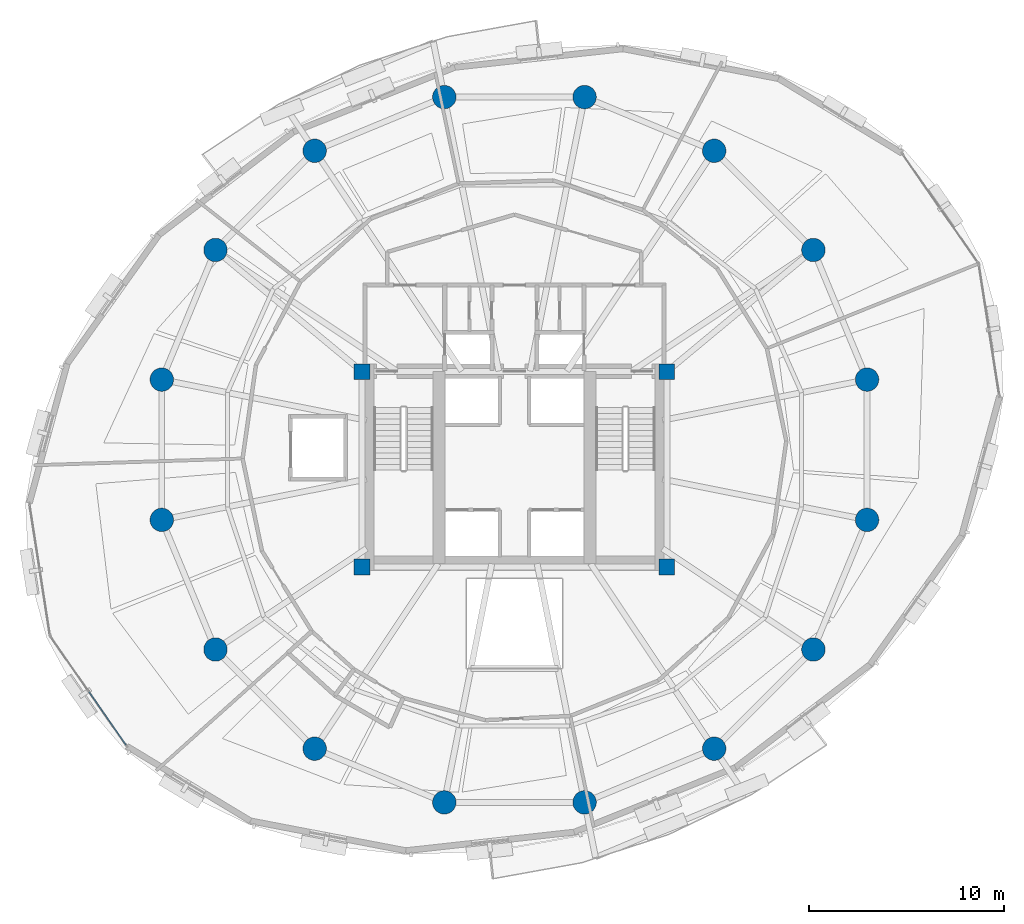
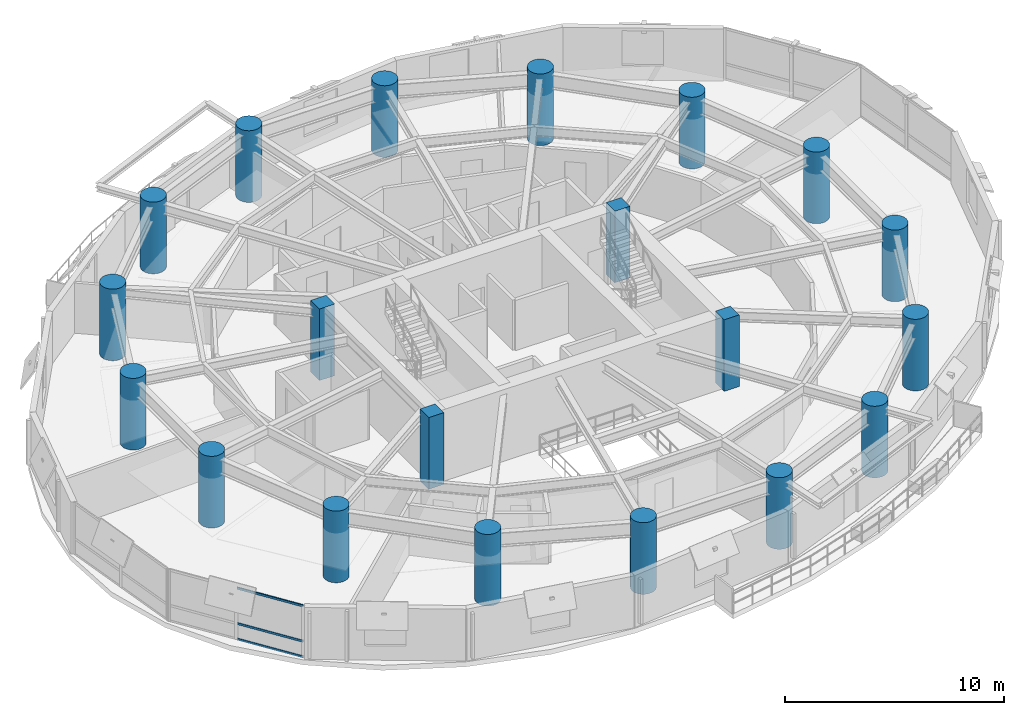
# One storey, part 1 of 14: 20 columns, 3 members, 1 element without a shape of its own.
"""IFC4 building model written with IfcOpenShell, lengths in metres."""

from ifc_helpers import new_model, si_unit, direction, frame, origin, origin_2d, place, context, subcontext, project, spatial, rectangle, hollow_rectangle, circle, extrude, material, layer, layer_set, material_profile, profile_set, type_object, element, aggregate, save


model = new_model("IFC4")

# Units and contexts
model_context = context("Model", 3, precision=1e-05, world=origin(), true_north=direction((0.0, 1.0)))
body_context = subcontext(model_context, "Body", "Model", "MODEL_VIEW")
ifc_project = project(units=[si_unit("LENGTHUNIT", "METRE"), si_unit("AREAUNIT", "SQUARE_METRE"), si_unit("VOLUMEUNIT", "CUBIC_METRE"), si_unit("PLANEANGLEUNIT", "RADIAN"), si_unit("MASSUNIT", "GRAM", prefix="KILO"), si_unit("THERMODYNAMICTEMPERATUREUNIT", "KELVIN"), si_unit("POWERUNIT", "WATT")], contexts=[model_context])

# Site, building, storey
site_placement = place(None, origin())
site = spatial("IfcSite", under=ifc_project, at=site_placement, CompositionType="ELEMENT")
building_placement = place(site_placement, origin())
building = spatial("IfcBuilding", under=site, at=building_placement, Name="Ocrelia Relay Tower", CompositionType="ELEMENT")
storey_placement = place(building_placement, frame((0.0, 0.0, 125.800048828125)))
storey = spatial("IfcBuildingStorey", under=building, at=storey_placement, Name="L29", CompositionType="ELEMENT", Elevation=125.800048828125)

# Columns
ifc_material_1 = material(Name="Concrete C60/75", Category="concrete")
ifc_material_profile_1 = material_profile(ifc_material_1, circle(Radius=0.60009765625, at=origin_2d()), Name="RC-CIR-1200")
ifc_profile_set_1 = profile_set([ifc_material_profile_1], Name="Concrete C60/75")
column_type_1 = type_object("IfcColumnType", Name="COL-CT-1200", PredefinedType="COLUMN", material=ifc_profile_set_1)
for number, where, z_axis, x_axis, name in (
    (1, (52.04638671875, 29.589599609375, 0.0), (0.0, 0.0, 1.0), (1.0, 0.0, 0.0), "L29 Perimeter Ring Column C01"),
    (2, (49.299072265625, 36.222412109375, 0.0), (0.0, 0.0, 1.0), (1.0, 0.0, 0.0), "L29 Perimeter Ring Column C02"),
    (3, (44.222412109375, 41.299072265625, 0.0), (0.0, 0.0, 1.0), (1.0, 0.0, 0.0), "L29 Perimeter Ring Column C03"),
    (4, (37.589599609375, 44.04638671875, 0.0), (0.0, 0.0, 1.0), (1.0, 0.0, 0.0), "L29 Perimeter Ring Column C04"),
    (5, (30.410400390625, 44.04638671875, 0.0), (0.0, 0.0, 1.0), (1.0, 0.0, 0.0), "L29 Perimeter Ring Column C05"),
    (6, (23.777587890625, 41.299072265625, 0.0), (0.0, 0.0, 1.0), (1.0, 0.0, 0.0), "L29 Perimeter Ring Column C06"),
    (7, (18.700927734375, 36.222412109375, 0.0), (0.0, 0.0, 1.0), (1.0, 0.0, 0.0), "L29 Perimeter Ring Column C07"),
    (8, (15.95361328125, 29.589599609375, 0.0), (0.0, 0.0, 1.0), (1.0, 0.0, 0.0), "L29 Perimeter Ring Column C08"),
    (9, (15.95361328125, 22.410400390625, 0.0), (0.0, 0.0, 1.0), (1.0, 0.0, 0.0), "L29 Perimeter Ring Column C09"),
    (10, (18.700927734375, 15.777587890625, 0.0), (0.0, 0.0, 1.0), (1.0, 0.0, 0.0), "L29 Perimeter Ring Column C10"),
    (11, (23.777587890625, 10.700927734375, 0.0), (0.0, 0.0, 1.0), (1.0, 0.0, 0.0), "L29 Perimeter Ring Column C11"),
    (12, (30.410400390625, 7.95361328125, 0.0), (0.0, 0.0, 1.0), (1.0, 0.0, 0.0), "L29 Perimeter Ring Column C12"),
    (13, (37.589599609375, 7.95361328125, 0.0), (0.0, 0.0, 1.0), (1.0, 0.0, 0.0), "L29 Perimeter Ring Column C13"),
    (14, (44.222412109375, 10.700927734375, 0.0), (0.0, 0.0, 1.0), (1.0, 0.0, 0.0), "L29 Perimeter Ring Column C14"),
    (15, (49.299072265625, 15.777587890625, 0.0), (0.0, 0.0, 1.0), (1.0, 0.0, 0.0), "L29 Perimeter Ring Column C15"),
    (16, (52.04638671875, 22.410400390625, 0.0), (0.0, 0.0, 1.0), (1.0, 0.0, 0.0), "L29 Perimeter Ring Column C16"),
):
    element("IfcColumn", number, at=place(storey_placement, frame(where, z_axis=z_axis, x_axis=x_axis)), inside=storey, type_object=column_type_1, Name=name, PredefinedType="COLUMN", context=body_context, shape_type="SweptSolid", body=[
        extrude(circle(Radius=0.60009765625, at=origin_2d()), origin(), (0.0, 0.0, 1.0), 4.0),
    ])
ifc_material_profile_2 = material_profile(ifc_material_1, rectangle(XDim=0.800048828125, YDim=0.800048828125, at=origin_2d()), Name="RC-COL-800x800")
ifc_profile_set_2 = profile_set([ifc_material_profile_2], Name="Concrete C60/75")
column_type_2 = type_object("IfcColumnType", Name="COL-PILASTER-800", PredefinedType="PILASTER", material=ifc_profile_set_2)
for number, where, z_axis, x_axis, name in (
    (17, (26.199951171875, 20.0, 0.0), (0.0, 0.0, 1.0), (1.0, 0.0, 0.0), "L29 Core Corner Pilaster SW"),
    (18, (41.800048828125, 20.0, 0.0), (0.0, 0.0, 1.0), (1.0, 0.0, 0.0), "L29 Core Corner Pilaster SE"),
    (19, (26.199951171875, 30.0, 0.0), (0.0, 0.0, 1.0), (1.0, 0.0, 0.0), "L29 Core Corner Pilaster NW"),
    (20, (41.800048828125, 30.0, 0.0), (0.0, 0.0, 1.0), (1.0, 0.0, 0.0), "L29 Core Corner Pilaster NE"),
):
    element("IfcColumn", number, at=place(storey_placement, frame(where, z_axis=z_axis, x_axis=x_axis)), inside=storey, type_object=column_type_2, Name=name, PredefinedType="PILASTER", context=body_context, shape_type="SweptSolid", body=[
        extrude(rectangle(XDim=0.800048828125, YDim=0.800048828125, at=origin_2d()), origin(), (0.0, 0.0, 1.0), 4.0),
    ])

# Curtain wall, members
ifc_material_2 = material(Name="Aluminium and solar-control low-E glass", Category="aluminium")
ifc_layer = layer(ifc_material_2, 0.179931640625, Name="Aluminium and solar-control low-E glass")
ifc_layer_set = layer_set([ifc_layer], Name="Aluminium and solar-control low-E glass")
curtain_wall_type = type_object("IfcCurtainWallType", Name="CW-SYS-Z2-SWIT", PredefinedType="NOTDEFINED", material=ifc_layer_set)
curtain_wall_placement = place(storey_placement, origin())
curtain_wall = element("IfcCurtainWall", 21, at=curtain_wall_placement, inside=storey, type_object=curtain_wall_type, Name="L29 Elliptical Tower Curtain Wall Bay 10", PredefinedType="NOTDEFINED")
ifc_material_3 = material(Name="Anodised bronze aluminium", Category="aluminium")
ifc_material_profile_3 = material_profile(ifc_material_3, hollow_rectangle(XDim=0.06005859375, YDim=0.1201171875, WallThickness=0.0048828125, at=origin_2d()), Name="CW-TRN-120x60")
ifc_profile_set_3 = profile_set([ifc_material_profile_3], Name="Anodised bronze aluminium")
member_type = type_object("IfcMemberType", Name="CW-SYS-Z2-SWIT-TRN", PredefinedType="USERDEFINED", material=ifc_profile_set_3)
member_1_placement = place(storey_placement, frame((12.22314453125, 13.619873046875, 0.030029296875), z_axis=(0.570948640591, -0.820985779296, 0.0), x_axis=(0.820985779296, 0.570948640591, 0.0)))
member_1 = element("IfcMember", 22, at=member_1_placement, type_object=member_type, Name="CW-Z2 transom 2.1", ObjectType="TRANSOM", PredefinedType="USERDEFINED", context=body_context, shape_type="SweptSolid", body=[
    extrude(hollow_rectangle(XDim=0.06005859375, YDim=0.1201171875, WallThickness=0.0048828125, at=origin_2d()), origin(), (0.0, 0.0, 1.0), 3.33447265625),
])
member_2_placement = place(storey_placement, frame((12.22314453125, 13.619873046875, 0.89990234375), z_axis=(0.570948640591, -0.820985779296, 0.0), x_axis=(0.820985779296, 0.570948640591, 0.0)))
member_2 = element("IfcMember", 23, at=member_2_placement, type_object=member_type, Name="CW-Z2 transom 2.2", ObjectType="TRANSOM", PredefinedType="USERDEFINED", context=body_context, shape_type="SweptSolid", body=[
    extrude(hollow_rectangle(XDim=0.06005859375, YDim=0.1201171875, WallThickness=0.0048828125, at=origin_2d()), origin(), (0.0, 0.0, 1.0), 3.33447265625),
])
member_3_placement = place(storey_placement, frame((12.22314453125, 13.619873046875, 2.869873046875), z_axis=(0.570948640591, -0.820985779296, 0.0), x_axis=(0.820985779296, 0.570948640591, 0.0)))
member_3 = element("IfcMember", 24, at=member_3_placement, type_object=member_type, Name="CW-Z2 transom 2.3", ObjectType="TRANSOM", PredefinedType="USERDEFINED", context=body_context, shape_type="SweptSolid", body=[
    extrude(hollow_rectangle(XDim=0.06005859375, YDim=0.1201171875, WallThickness=0.0048828125, at=origin_2d()), origin(), (0.0, 0.0, 1.0), 3.33447265625),
])
aggregate(curtain_wall, [member_1, member_2, member_3])

save(model, "model.ifc")
